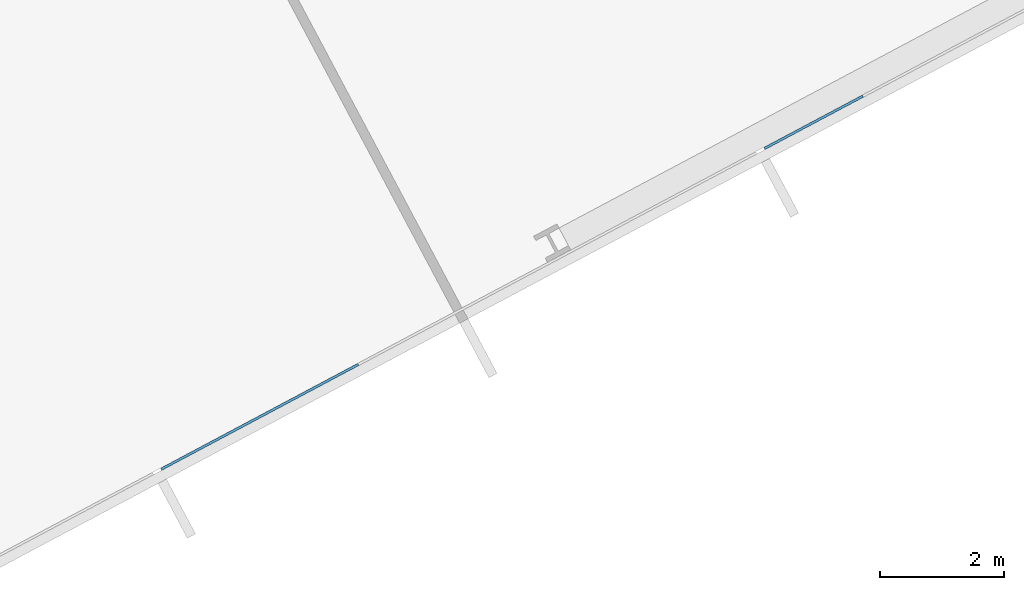
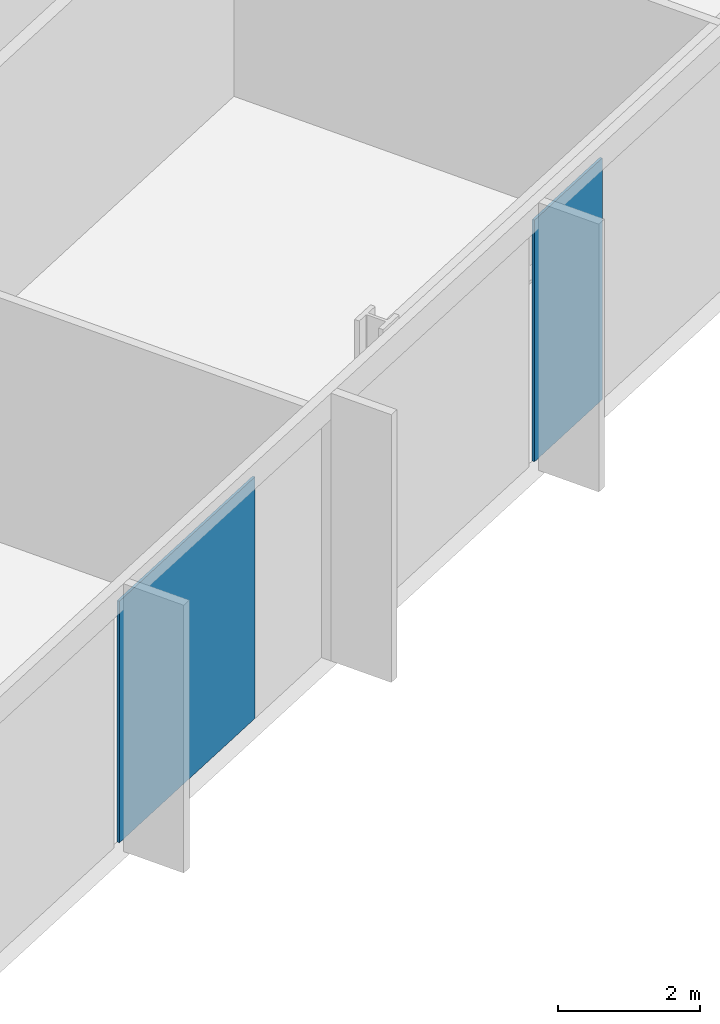
# One storey, part 11 of 31: 2 plates, 1 element without a shape of its own.
"""IFC4 building model written with IfcOpenShell, lengths in metres."""

from ifc_helpers import new_model, si_unit, direction, frame, origin, origin_2d, place, context, subcontext, project, spatial, rectangle, extrude, material, layer, layer_set, type_object, element, aggregate, save


model = new_model("IFC4")

# Units and contexts
model_context = context("Model", 3, precision=1e-05, world=origin(), true_north=direction((0.0, 1.0)))
body_context = subcontext(model_context, "Body", "Model", "MODEL_VIEW")
ifc_project = project(units=[si_unit("LENGTHUNIT", "METRE"), si_unit("AREAUNIT", "SQUARE_METRE"), si_unit("VOLUMEUNIT", "CUBIC_METRE"), si_unit("PLANEANGLEUNIT", "RADIAN"), si_unit("MASSUNIT", "GRAM", prefix="KILO")], contexts=[model_context])

# Site, building, storey
site_placement = place(None, origin())
site = spatial("IfcSite", under=ifc_project, at=site_placement, CompositionType="ELEMENT")
building_placement = place(site_placement, origin())
building = spatial("IfcBuilding", under=site, at=building_placement, Name="Cormorant Relay Tower", CompositionType="ELEMENT")
storey_placement = place(building_placement, frame((0.0, 0.0, 103.0)))
storey = spatial("IfcBuildingStorey", under=building, at=storey_placement, Name="L20", CompositionType="ELEMENT", Elevation=103.0)

# Curtain wall, plates
ifc_material_1 = material(Name="Aluminium 6063-T6 anodised bronze", Category="aluminium")
ifc_layer_1 = layer(ifc_material_1, 0.199951171875)
ifc_layer_set_1 = layer_set([ifc_layer_1], Name="CW1 unitised bronze curtain wall with vertical fins")
curtain_wall_type = type_object("IfcCurtainWallType", Name="CW1 unitised bronze curtain wall with vertical fins", PredefinedType="NOTDEFINED", material=ifc_layer_set_1)
curtain_wall_placement = place(storey_placement, origin())
curtain_wall = element("IfcCurtainWall", 1, at=curtain_wall_placement, inside=storey, type_object=curtain_wall_type, Name="CW1 curtain wall 2", PredefinedType="NOTDEFINED")
ifc_material_2 = material(Name="Tinted laminated glass", Category="glass")
ifc_layer_2 = layer(ifc_material_2, 0.0400390625)
ifc_layer_set_2 = layer_set([ifc_layer_2], Name="CW1 tinted vision panel 1800 module")
plate_type_1 = type_object("IfcPlateType", Name="CW1 tinted vision panel 1800 module", PredefinedType="CURTAIN_PANEL", material=ifc_layer_set_2)
plate_1_placement = place(storey_placement, frame((57.052490234375, 6.52880859375, 0.0), z_axis=(0.0, 0.0, 1.0), x_axis=(0.882947592859, 0.469471562786, 0.0)))
plate_1 = element("IfcPlate", 2, at=plate_1_placement, type_object=plate_type_1, Name="CW1 panel V12", PredefinedType="CURTAIN_PANEL", context=body_context, shape_type="SweptSolid", body=[
    extrude(rectangle(XDim=1.800048828125, YDim=0.0400390625, at=origin_2d()), origin(), (0.0, 0.0, 1.0), 4.14990234375),
])
ifc_material_3 = material(Name="Tinted laminated glass", Category="glass")
ifc_layer_3 = layer(ifc_material_3, 0.0400390625)
ifc_layer_set_3 = layer_set([ifc_layer_3], Name="CW1 tinted vision panel 3600 module")
plate_type_2 = type_object("IfcPlateType", Name="CW1 tinted vision panel 3600 module", PredefinedType="CURTAIN_PANEL", material=ifc_layer_set_3)
plate_2_placement = place(storey_placement, frame((48.11376953125, 1.77587890625, 0.0), z_axis=(0.0, 0.0, 1.0), x_axis=(0.882947592859, 0.469471562786, 0.0)))
plate_2 = element("IfcPlate", 3, at=plate_2_placement, type_object=plate_type_2, Name="CW1 panel V10", PredefinedType="CURTAIN_PANEL", context=body_context, shape_type="SweptSolid", body=[
    extrude(rectangle(XDim=3.60009765625, YDim=0.0400390625, at=origin_2d()), origin(), (0.0, 0.0, 1.0), 4.14990234375),
])
aggregate(curtain_wall, [plate_2, plate_1])

save(model, "model.ifc")
